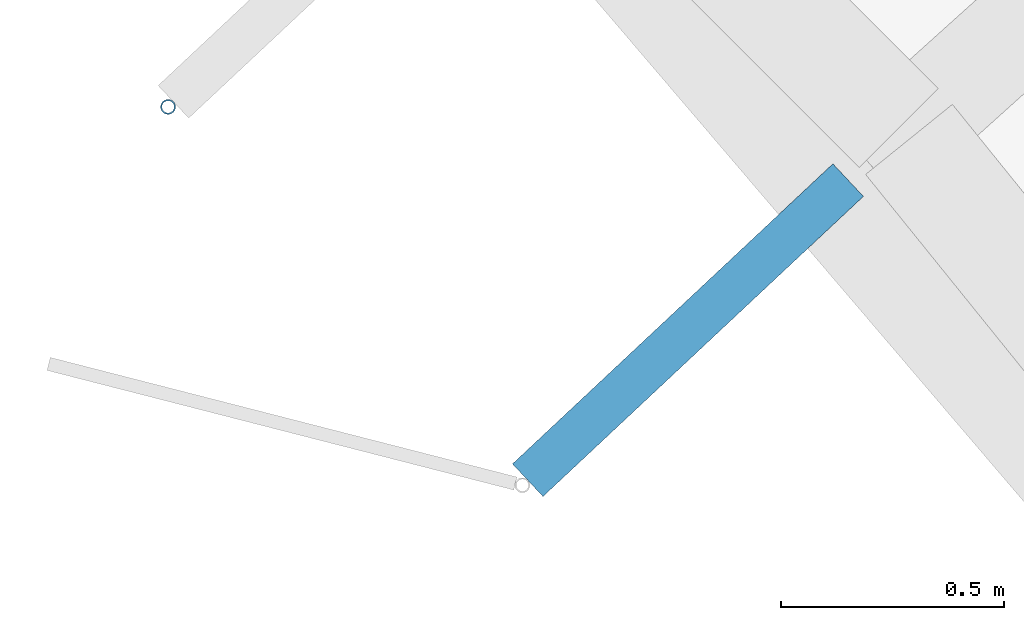
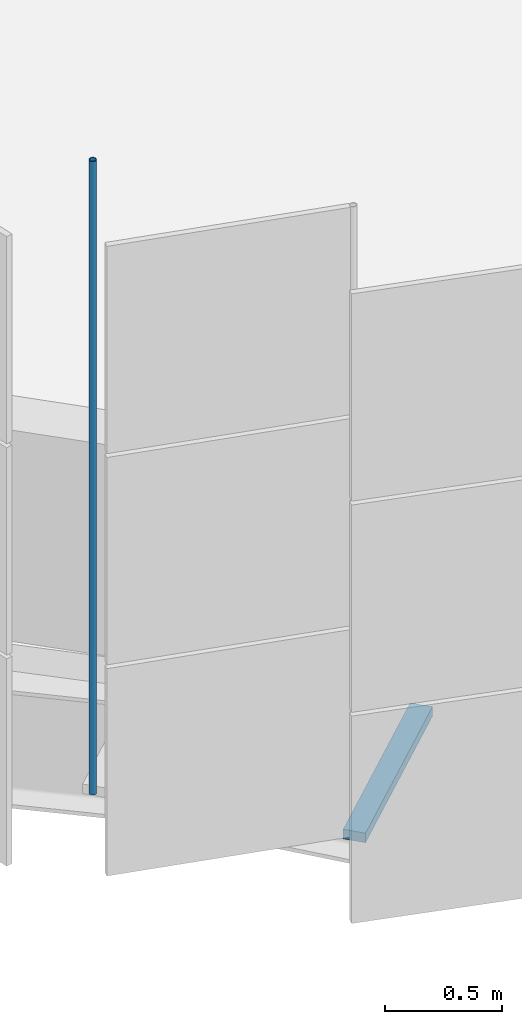
# One storey, part 129 of 214: 2 discrete accessories.
"""IFC4 building model written with IfcOpenShell, lengths in metres."""

from ifc_helpers import new_model, si_unit, direction, frame, origin, origin_2d, place, context, subcontext, project, spatial, rectangle, hollow_circle, extrude, material, material_profile, profile_set, type_object, element, save


model = new_model("IFC4")

# Units and contexts
model_context = context("Model", 3, precision=1e-05, world=origin(), true_north=direction((0.0, 1.0)))
body_context = subcontext(model_context, "Body", "Model", "MODEL_VIEW")
ifc_project = project(units=[si_unit("LENGTHUNIT", "METRE"), si_unit("AREAUNIT", "SQUARE_METRE"), si_unit("VOLUMEUNIT", "CUBIC_METRE"), si_unit("PLANEANGLEUNIT", "RADIAN"), si_unit("MASSUNIT", "GRAM", prefix="KILO")], contexts=[model_context])

# Site, building, storey
site_placement = place(None, origin())
site = spatial("IfcSite", under=ifc_project, at=site_placement, CompositionType="ELEMENT")
building_placement = place(site_placement, origin())
building = spatial("IfcBuilding", under=site, at=building_placement, Name="Parallax Yard Mobility Hub", CompositionType="ELEMENT")
storey_placement = place(building_placement, frame((0.0, 0.0, 3.300048828125)))
storey = spatial("IfcBuildingStorey", under=building, at=storey_placement, Name="L01", CompositionType="ELEMENT", Elevation=3.300048828125)

# Discrete accessories
ifc_material_1 = material(Name="Steel ASTM A36, hot-dip galvanised", Category="steel")
discrete_accessory_type_1 = type_object("IfcDiscreteAccessoryType", Name="Hinge bracket plate 100x50", PredefinedType="BRACKET", material=ifc_material_1)
discrete_accessory_1_placement = place(storey_placement, frame((188.852294921875, 104.718505859375, -0.02490234375), z_axis=(0.0, 0.0, 1.0), x_axis=(-0.729864072698, -0.683592302023, 0.0)))
element("IfcDiscreteAccessory", 1, at=discrete_accessory_1_placement, inside=storey, type_object=discrete_accessory_type_1, Name="Hinge bracket plate bay 20.5 level L01", PredefinedType="BRACKET", context=body_context, shape_type="SweptSolid", body=[
    extrude(rectangle(XDim=0.984130859375, YDim=0.10009765625, at=origin_2d()), origin(), (0.0, 0.0, 1.0), 0.050048828125),
])
ifc_material_2 = material(Name="Steel ASTM A500 Gr C, hot-dip galvanised", Category="steel")
ifc_material_profile = material_profile(ifc_material_2, hollow_circle(Radius=0.016845703125, WallThickness=0.003173828125, at=origin_2d()), Name="CHS 33.7x3.2")
ifc_profile_set = profile_set([ifc_material_profile], Name="Steel ASTM A500 Gr C, hot-dip galvanised")
discrete_accessory_type_2 = type_object("IfcDiscreteAccessoryType", Name="Hinge post CHS 33.7x3.2", PredefinedType="BRACKET", material=ifc_profile_set)
discrete_accessory_2_placement = place(storey_placement, frame((187.68701171875, 105.218994140625, 0.0), z_axis=(0.0, 0.0, 1.0), x_axis=(1.0, 0.0, 0.0)))
element("IfcDiscreteAccessory", 2, at=discrete_accessory_2_placement, inside=storey, type_object=discrete_accessory_type_2, Name="Hinge post bay 20.4 level L01", PredefinedType="BRACKET", context=body_context, shape_type="SweptSolid", body=[
    extrude(hollow_circle(Radius=0.016845703125, WallThickness=0.003173828125, at=origin_2d()), origin(), (0.0, 0.0, 1.0), 3.300048828125),
])

save(model, "model.ifc")
